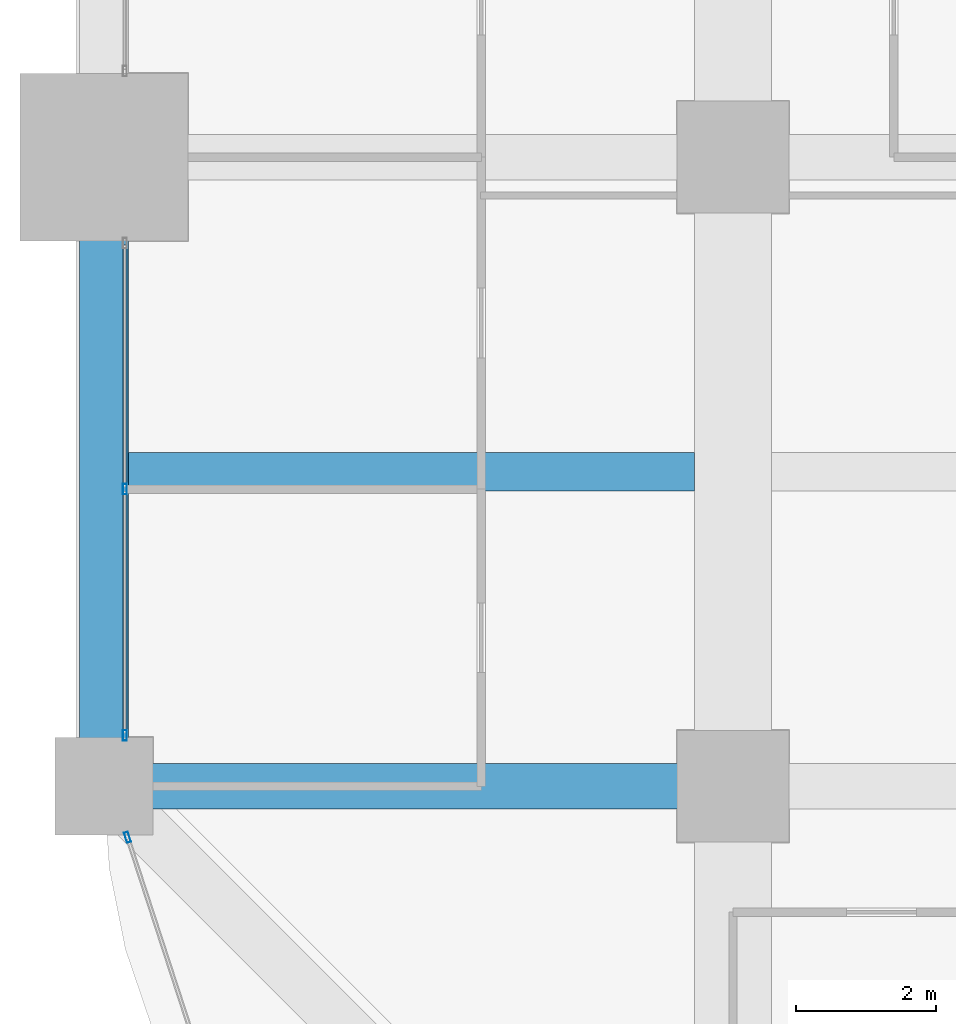
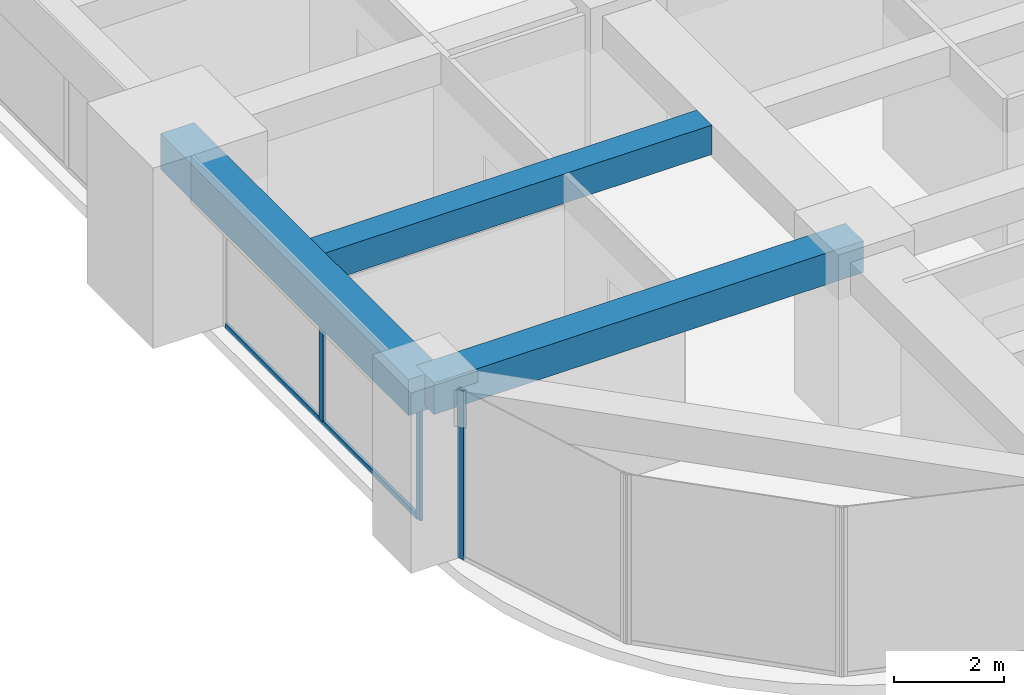
# One storey, part 4 of 34: 4 members, 3 beams, 2 elements without a shape of their own.
"""IFC4 building model written with IfcOpenShell, lengths in metres."""

from ifc_helpers import new_model, si_unit, direction, frame, origin, origin_2d, place, context, subcontext, project, spatial, rectangle, hollow_rectangle, extrude, material, material_profile, profile_set, type_object, element, aggregate, save


model = new_model("IFC4")

# Units and contexts
model_context = context("Model", 3, precision=1e-05, world=origin(), true_north=direction((0.0, 1.0)))
body_context = subcontext(model_context, "Body", "Model", "MODEL_VIEW")
ifc_project = project(units=[si_unit("LENGTHUNIT", "METRE"), si_unit("AREAUNIT", "SQUARE_METRE"), si_unit("VOLUMEUNIT", "CUBIC_METRE"), si_unit("PLANEANGLEUNIT", "RADIAN"), si_unit("MASSUNIT", "GRAM", prefix="KILO")], contexts=[model_context])

# Site, building, storey
site_placement = place(None, origin())
site = spatial("IfcSite", under=ifc_project, at=site_placement, CompositionType="ELEMENT")
building_placement = place(site_placement, origin())
building = spatial("IfcBuilding", under=site, at=building_placement, Name="Zorevar Civic Tower", CompositionType="ELEMENT")
storey_placement = place(building_placement, frame((0.0, 0.0, 170.199951171875)))
storey = spatial("IfcBuildingStorey", under=building, at=storey_placement, Name="L41", CompositionType="ELEMENT", Elevation=170.199951171875)

# Beams
ifc_material_1 = material(Name="Concrete C50/60", Category="concrete")
ifc_material_profile_1 = material_profile(ifc_material_1, rectangle(XDim=0.550048828125, YDim=0.64990234375, at=origin_2d()), Name="RC 550x650")
ifc_profile_set_1 = profile_set([ifc_material_profile_1], Name="Concrete C50/60")
beam_type_1 = type_object("IfcBeamType", Name="Beam RC 550x650", PredefinedType="BEAM", material=ifc_profile_set_1)
beam_1_placement = place(storey_placement, frame((0.35009765625, 13.5, 3.425048828125), z_axis=(1.0, 0.0, 0.0), x_axis=(0.0, 1.0, 0.0)))
element("IfcBeam", 1, at=beam_1_placement, inside=storey, type_object=beam_type_1, Name="Secondary beam L42", PredefinedType="BEAM", context=body_context, shape_type="SweptSolid", body=[
    extrude(rectangle(XDim=0.550048828125, YDim=0.64990234375, at=origin_2d()), origin(), (0.0, 0.0, 1.0), 8.099853515625),
])
ifc_material_2 = material(Name="Concrete C50/60", Category="concrete")
ifc_material_profile_2 = material_profile(ifc_material_2, rectangle(XDim=0.64990234375, YDim=0.699951171875, at=origin_2d()), Name="RC 650x700")
ifc_profile_set_2 = profile_set([ifc_material_profile_2], Name="Concrete C50/60")
beam_type_2 = type_object("IfcBeamType", Name="Beam RC 650x700", PredefinedType="BEAM", material=ifc_profile_set_2)
beam_2_placement = place(storey_placement, frame((0.0, 9.0, 3.400146484375), z_axis=(1.0, 0.0, 0.0), x_axis=(0.0, 1.0, 0.0)))
element("IfcBeam", 2, at=beam_2_placement, inside=storey, type_object=beam_type_2, Name="Girder L42", PredefinedType="BEAM", context=body_context, shape_type="SweptSolid", body=[
    extrude(rectangle(XDim=0.64990234375, YDim=0.699951171875, at=origin_2d()), origin(), (0.0, 0.0, 1.0), 9.0),
])

# Curtain wall, members
ifc_material_3 = material(Name="Dark grey solar-control glass in black aluminium frame", Category="aluminium")
curtain_wall_type = type_object("IfcCurtainWallType", Name="Curtain wall CW4 high zone", PredefinedType="NOTDEFINED", material=ifc_material_3)
curtain_wall_1_placement = place(storey_placement, origin())
curtain_wall_1 = element("IfcCurtainWall", 3, at=curtain_wall_1_placement, inside=storey, type_object=curtain_wall_type, Name="CW4 L41", PredefinedType="NOTDEFINED")
ifc_material_4 = material(Name="Aluminium, black anodised", Category="aluminium")
ifc_material_profile_3 = material_profile(ifc_material_4, hollow_rectangle(XDim=0.06005859375, YDim=0.14990234375, WallThickness=0.00390625, at=origin_2d()), Name="AL 150x60x4")
ifc_profile_set_3 = profile_set([ifc_material_profile_3], Name="Aluminium, black anodised")
member_type_1 = type_object("IfcMemberType", Name="CW4 mullion AL 150x60x4", PredefinedType="MULLION", material=ifc_profile_set_3)
member_1_placement = place(storey_placement, frame((0.300048828125, 9.72998046875, 0.0), z_axis=(0.0, 0.0, 1.0), x_axis=(-1.0, 0.0, 0.0)))
member_1 = element("IfcMember", 4, at=member_1_placement, type_object=member_type_1, Name="CW4 mullion 1", PredefinedType="MULLION", context=body_context, shape_type="SweptSolid", body=[
    extrude(hollow_rectangle(XDim=0.06005859375, YDim=0.14990234375, WallThickness=0.00390625, at=origin_2d()), origin(), (0.0, 0.0, 1.0), 2.949951171875),
])
member_2_placement = place(storey_placement, frame((0.300048828125, 13.25, 0.06005859375), z_axis=(0.0, 0.0, 1.0), x_axis=(-1.0, 0.0, 0.0)))
member_2 = element("IfcMember", 5, at=member_2_placement, type_object=member_type_1, Name="CW4 mullion 2", PredefinedType="MULLION", context=body_context, shape_type="SweptSolid", body=[
    extrude(hollow_rectangle(XDim=0.06005859375, YDim=0.14990234375, WallThickness=0.00390625, at=origin_2d()), origin(), (0.0, 0.0, 1.0), 2.889892578125),
])

# Curtain wall, member
curtain_wall_2_placement = place(storey_placement, origin())
curtain_wall_2 = element("IfcCurtainWall", 6, at=curtain_wall_2_placement, inside=storey, type_object=curtain_wall_type, Name="CW4 L41", PredefinedType="NOTDEFINED")
member_3_placement = place(storey_placement, frame((0.337646484375, 8.271484375, 0.0), z_axis=(0.0, 0.0, 1.0), x_axis=(0.950644749916, 0.310281419775, 0.0)))
member_3 = element("IfcMember", 7, at=member_3_placement, type_object=member_type_1, Name="CW4 mullion 1", PredefinedType="MULLION", context=body_context, shape_type="SweptSolid", body=[
    extrude(hollow_rectangle(XDim=0.06005859375, YDim=0.14990234375, WallThickness=0.00390625, at=origin_2d()), origin(), (0.0, 0.0, 1.0), 3.75),
])
aggregate(curtain_wall_2, [member_3])

# Member
ifc_material_5 = material(Name="Aluminium, black anodised", Category="aluminium")
ifc_material_profile_4 = material_profile(ifc_material_5, hollow_rectangle(XDim=0.06005859375, YDim=0.1201171875, WallThickness=0.0029296875, at=origin_2d()), Name="AL 120x60x3")
ifc_profile_set_4 = profile_set([ifc_material_profile_4], Name="Aluminium, black anodised")
member_type_2 = type_object("IfcMemberType", Name="CW4 transom AL 120x60x3", PredefinedType="USERDEFINED", material=ifc_profile_set_4)
member_4_placement = place(storey_placement, frame((0.300048828125, 9.760009765625, 0.030029296875), z_axis=(0.0, 1.0, 0.0), x_axis=(-1.0, 0.0, 0.0)))
member_4 = element("IfcMember", 8, at=member_4_placement, type_object=member_type_2, Name="CW4 sill transom", ObjectType="TRANSOM", PredefinedType="USERDEFINED", context=body_context, shape_type="SweptSolid", body=[
    extrude(hollow_rectangle(XDim=0.06005859375, YDim=0.1201171875, WallThickness=0.0029296875, at=origin_2d()), origin(), (0.0, 0.0, 1.0), 6.97998046875),
])

aggregate(curtain_wall_1, [member_1, member_2, member_4])

# Beam
ifc_material_6 = material(Name="Concrete C50/60", Category="concrete")
ifc_material_profile_5 = material_profile(ifc_material_6, rectangle(XDim=0.699951171875, YDim=0.800048828125, at=origin_2d()), Name="RC 700x800")
ifc_profile_set_5 = profile_set([ifc_material_profile_5], Name="Concrete C50/60")
beam_type_3 = type_object("IfcBeamType", Name="Edge beam RC 700x800", PredefinedType="SPANDREL", material=ifc_profile_set_5)
beam_3_placement = place(storey_placement, frame((0.0, 9.0, 3.35009765625), z_axis=(0.0, 1.0, 0.0), x_axis=(-1.0, 0.0, 0.0)))
element("IfcBeam", 9, at=beam_3_placement, inside=storey, type_object=beam_type_3, Name="Edge beam L42", PredefinedType="SPANDREL", context=body_context, shape_type="SweptSolid", body=[
    extrude(rectangle(XDim=0.699951171875, YDim=0.800048828125, at=origin_2d()), origin(), (0.0, 0.0, 1.0), 9.0),
])

save(model, "model.ifc")
